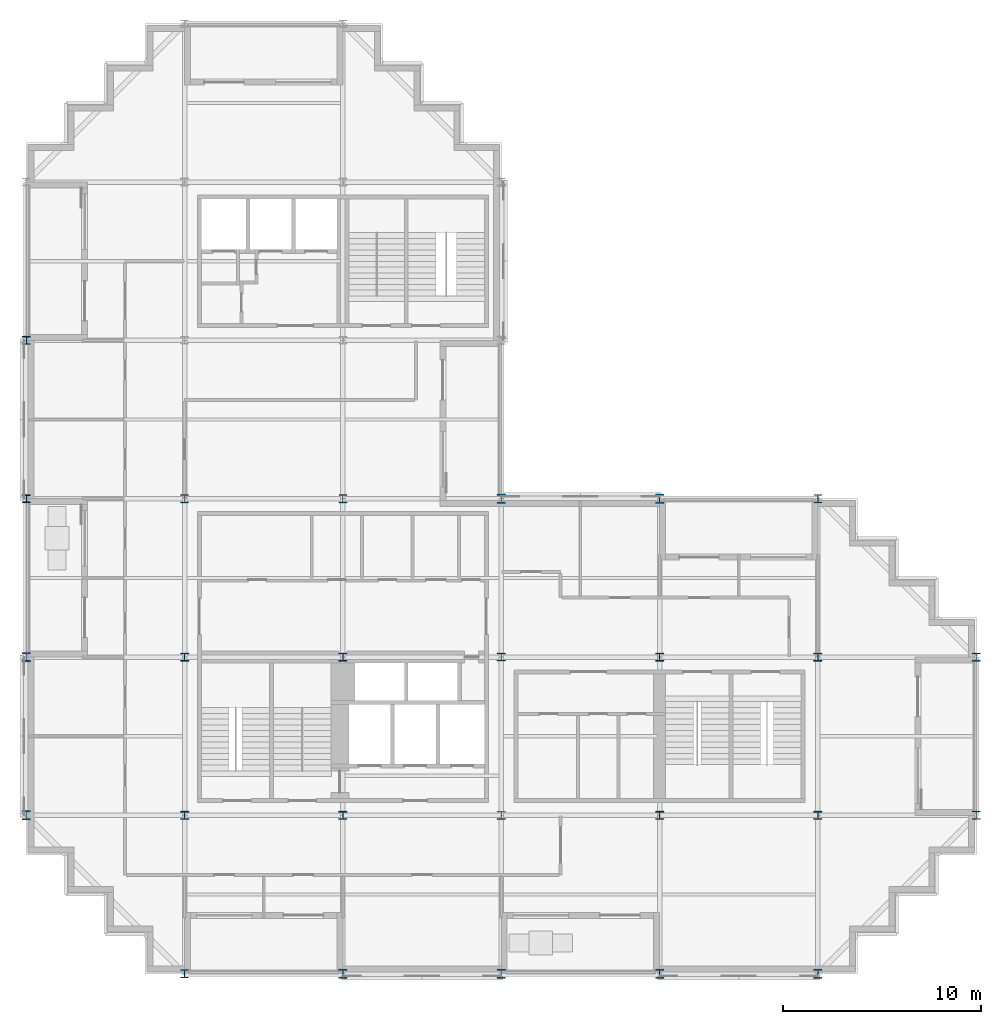
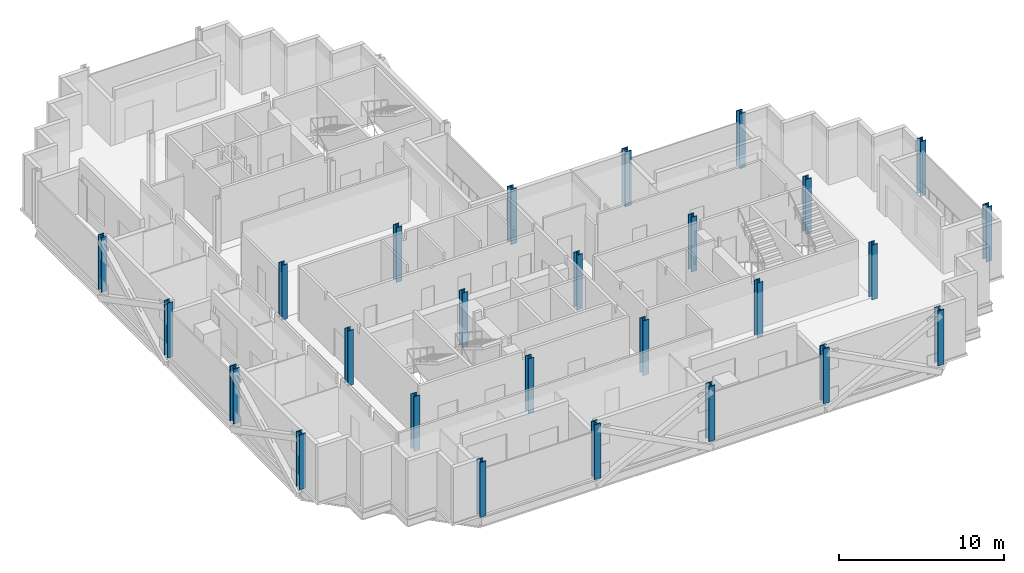
# One storey, part 1 of 12: 26 columns.
"""IFC4 building model written with IfcOpenShell, lengths in metres."""

from ifc_helpers import new_model, si_unit, direction, frame, origin, origin_2d, place, context, subcontext, project, spatial, i_section, extrude, material, material_profile, profile_set, type_object, element, save


model = new_model("IFC4")

# Units and contexts
model_context = context("Model", 3, precision=1e-05, world=origin(), true_north=direction((0.0, 1.0)))
body_context = subcontext(model_context, "Body", "Model", "MODEL_VIEW")
ifc_project = project(units=[si_unit("LENGTHUNIT", "METRE"), si_unit("AREAUNIT", "SQUARE_METRE"), si_unit("VOLUMEUNIT", "CUBIC_METRE"), si_unit("PLANEANGLEUNIT", "RADIAN"), si_unit("MASSUNIT", "GRAM", prefix="KILO")], contexts=[model_context])

# Site, building, storey
site_placement = place(None, origin())
site = spatial("IfcSite", under=ifc_project, at=site_placement, CompositionType="ELEMENT")
building_placement = place(site_placement, origin())
building = spatial("IfcBuilding", under=site, at=building_placement, Name="Immortelle Media Tower", CompositionType="ELEMENT")
storey_placement = place(building_placement, frame((0.0, 0.0, 136.800048828125)))
storey = spatial("IfcBuildingStorey", under=building, at=storey_placement, Name="L27", CompositionType="ELEMENT", Elevation=136.800048828125)

# Columns
ifc_material = material(Name="Steel ASTM A992 Gr 50", Category="steel")
ifc_material_profile_1 = material_profile(ifc_material, i_section(OverallWidth=0.40087890625, OverallDepth=0.39892578125, WebThickness=0.02490234375, FlangeThickness=0.0400390625, at=origin_2d()), Name="W14x211")
ifc_profile_set_1 = profile_set([ifc_material_profile_1], Name="Steel ASTM A992 Gr 50")
column_type_1 = type_object("IfcColumnType", Name="W14x211 column", PredefinedType="COLUMN", material=ifc_profile_set_1)
for number, where, z_axis, x_axis, name in (
    (1, (0.0, 24.0, 0.0), (0.0, 0.0, 1.0), (1.0, 0.0, 0.0), "Column 1/D"),
    (2, (0.0, 32.0, 0.0), (0.0, 0.0, 1.0), (1.0, 0.0, 0.0), "Column 1/E"),
    (3, (8.0, 8.0, 0.0), (0.0, 0.0, 1.0), (1.0, 0.0, 0.0), "Column 2/B"),
    (4, (8.0, 16.0, 0.0), (0.0, 0.0, 1.0), (1.0, 0.0, 0.0), "Column 2/C"),
    (5, (16.0, 8.0, 0.0), (0.0, 0.0, 1.0), (1.0, 0.0, 0.0), "Column 3/B"),
    (6, (16.0, 16.0, 0.0), (0.0, 0.0, 1.0), (1.0, 0.0, 0.0), "Column 3/C"),
    (7, (32.0, 8.0, 0.0), (0.0, 0.0, 1.0), (1.0, 0.0, 0.0), "Column 5/B"),
    (8, (32.0, 16.0, 0.0), (0.0, 0.0, 1.0), (1.0, 0.0, 0.0), "Column 5/C"),
    (9, (40.0, 8.0, 0.0), (0.0, 0.0, 1.0), (1.0, 0.0, 0.0), "Column 6/B"),
    (10, (40.0, 16.0, 0.0), (0.0, 0.0, 1.0), (1.0, 0.0, 0.0), "Column 6/C"),
):
    element("IfcColumn", number, at=place(storey_placement, frame(where, z_axis=z_axis, x_axis=x_axis)), inside=storey, type_object=column_type_1, Name=name, PredefinedType="COLUMN", context=body_context, shape_type="SweptSolid", body=[
        extrude(i_section(OverallWidth=0.40087890625, OverallDepth=0.39892578125, WebThickness=0.02490234375, FlangeThickness=0.0400390625, at=origin_2d()), origin(), (0.0, 0.0, 1.0), 4.050048828125),
    ])
ifc_material_profile_2 = material_profile(ifc_material, i_section(OverallWidth=0.406005859375, OverallDepth=0.4169921875, WebThickness=0.030029296875, FlangeThickness=0.048095703125, at=origin_2d()), Name="W14x257")
ifc_profile_set_2 = profile_set([ifc_material_profile_2], Name="Steel ASTM A992 Gr 50")
column_type_2 = type_object("IfcColumnType", Name="W14x257 column", PredefinedType="COLUMN", material=ifc_profile_set_2)
for number, where, z_axis, x_axis, name in (
    (11, (8.0, 24.0, 0.0), (0.0, 0.0, 1.0), (1.0, 0.0, 0.0), "Column 2/D"),
    (12, (16.0, 24.0, 0.0), (0.0, 0.0, 1.0), (1.0, 0.0, 0.0), "Column 3/D"),
    (13, (24.0, 8.0, 0.0), (0.0, 0.0, 1.0), (1.0, 0.0, 0.0), "Column 4/B"),
    (14, (24.0, 16.0, 0.0), (0.0, 0.0, 1.0), (1.0, 0.0, 0.0), "Column 4/C"),
):
    element("IfcColumn", number, at=place(storey_placement, frame(where, z_axis=z_axis, x_axis=x_axis)), inside=storey, type_object=column_type_2, Name=name, PredefinedType="COLUMN", context=body_context, shape_type="SweptSolid", body=[
        extrude(i_section(OverallWidth=0.406005859375, OverallDepth=0.4169921875, WebThickness=0.030029296875, FlangeThickness=0.048095703125, at=origin_2d()), origin(), (0.0, 0.0, 1.0), 4.050048828125),
    ])
ifc_material_profile_3 = material_profile(ifc_material, i_section(OverallWidth=0.410888671875, OverallDepth=0.43408203125, WebThickness=0.035888671875, FlangeThickness=0.056884765625, at=origin_2d()), Name="W14x311")
ifc_profile_set_3 = profile_set([ifc_material_profile_3], Name="Steel ASTM A992 Gr 50")
column_type_3 = type_object("IfcColumnType", Name="W14x311 column", PredefinedType="COLUMN", material=ifc_profile_set_3)
for number, where, z_axis, x_axis, name in (
    (15, (8.0, 0.0, 0.0), (0.0, 0.0, 1.0), (1.0, 0.0, 0.0), "Column 2/A"),
    (16, (40.0, 24.0, 0.0), (0.0, 0.0, 1.0), (1.0, 0.0, 0.0), "Column 6/D"),
    (17, (48.0, 8.0, 0.0), (0.0, 0.0, 1.0), (1.0, 0.0, 0.0), "Column 7/B"),
    (18, (48.0, 16.0, 0.0), (0.0, 0.0, 1.0), (1.0, 0.0, 0.0), "Column 7/C"),
):
    element("IfcColumn", number, at=place(storey_placement, frame(where, z_axis=z_axis, x_axis=x_axis)), inside=storey, type_object=column_type_3, Name=name, PredefinedType="COLUMN", context=body_context, shape_type="SweptSolid", body=[
        extrude(i_section(OverallWidth=0.410888671875, OverallDepth=0.43408203125, WebThickness=0.035888671875, FlangeThickness=0.056884765625, at=origin_2d()), origin(), (0.0, 0.0, 1.0), 4.050048828125),
    ])
ifc_material_profile_4 = material_profile(ifc_material, i_section(OverallWidth=0.424072265625, OverallDepth=0.47509765625, WebThickness=0.048095703125, FlangeThickness=0.076904296875, at=origin_2d()), Name="W14x426")
ifc_profile_set_4 = profile_set([ifc_material_profile_4], Name="Steel ASTM A992 Gr 50")
column_type_4 = type_object("IfcColumnType", Name="W14x426 column", PredefinedType="COLUMN", material=ifc_profile_set_4)
for number, where, z_axis, x_axis, name in (
    (19, (0.0, 8.0, 0.0), (0.0, 0.0, 1.0), (1.0, 0.0, 0.0), "Column 1/B"),
    (20, (0.0, 16.0, 0.0), (0.0, 0.0, 1.0), (1.0, 0.0, 0.0), "Column 1/C"),
    (21, (16.0, 0.0, 0.0), (0.0, 0.0, 1.0), (1.0, 0.0, 0.0), "Column 3/A"),
    (22, (24.0, 0.0, 0.0), (0.0, 0.0, 1.0), (1.0, 0.0, 0.0), "Column 4/A"),
    (23, (24.0, 24.0, 0.0), (0.0, 0.0, 1.0), (1.0, 0.0, 0.0), "Column 4/D"),
    (24, (32.0, 0.0, 0.0), (0.0, 0.0, 1.0), (1.0, 0.0, 0.0), "Column 5/A"),
    (25, (32.0, 24.0, 0.0), (0.0, 0.0, 1.0), (1.0, 0.0, 0.0), "Column 5/D"),
    (26, (40.0, 0.0, 0.0), (0.0, 0.0, 1.0), (1.0, 0.0, 0.0), "Column 6/A"),
):
    element("IfcColumn", number, at=place(storey_placement, frame(where, z_axis=z_axis, x_axis=x_axis)), inside=storey, type_object=column_type_4, Name=name, PredefinedType="COLUMN", context=body_context, shape_type="SweptSolid", body=[
        extrude(i_section(OverallWidth=0.424072265625, OverallDepth=0.47509765625, WebThickness=0.048095703125, FlangeThickness=0.076904296875, at=origin_2d()), origin(), (0.0, 0.0, 1.0), 4.050048828125),
    ])

save(model, "model.ifc")
